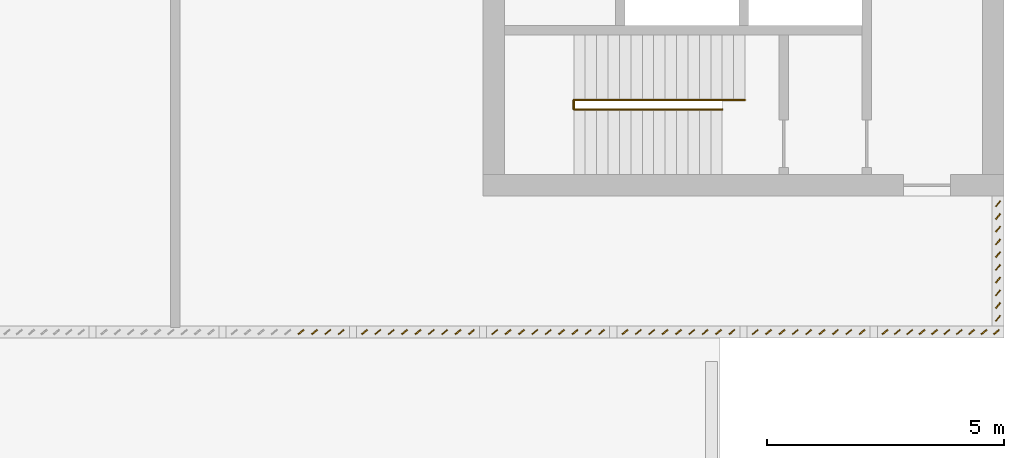
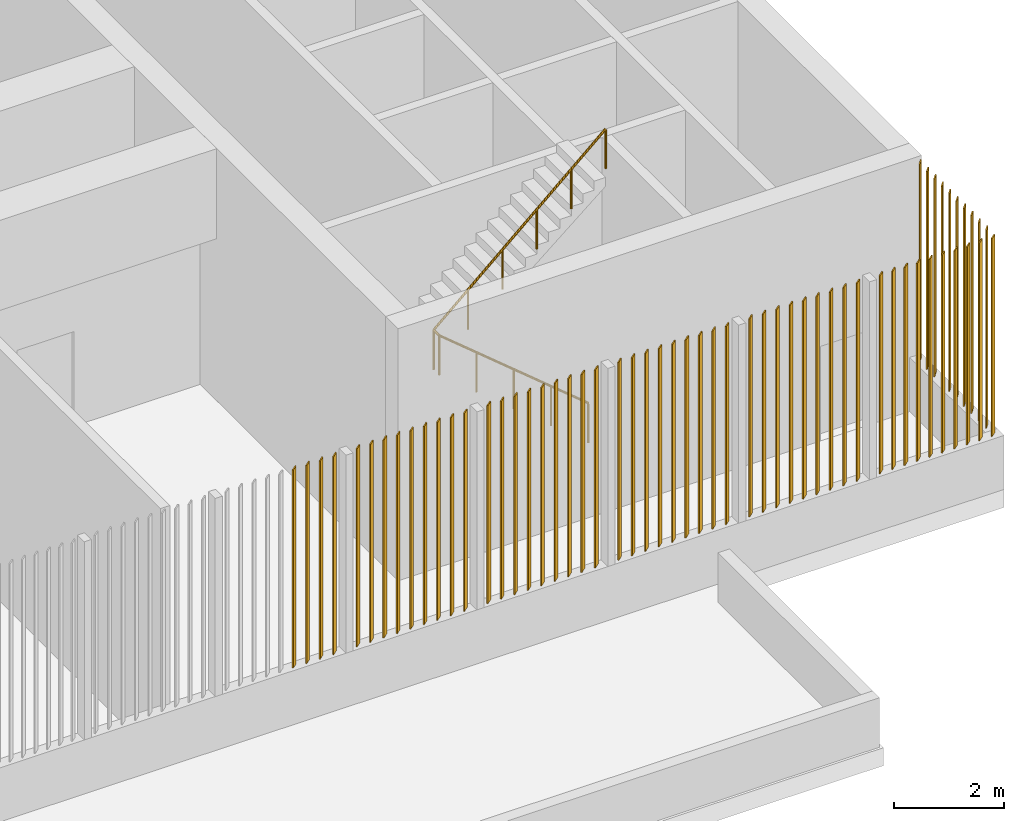
# One storey, part 8 of 9: 60 shading devices, 1 railing.
"""IFC4 building model written with IfcOpenShell, lengths in metres."""

from ifc_helpers import new_model, si_unit, direction, frame, origin, origin_2d, place, context, subcontext, project, spatial, rectangle, circle, extrude, material, material_profile, profile_set, type_object, element, save


model = new_model("IFC4")

# Units and contexts
model_context = context("Model", 3, precision=1e-05, world=origin(), true_north=direction((0.0, 1.0)))
body_context = subcontext(model_context, "Body", "Model", "MODEL_VIEW")
ifc_project = project(units=[si_unit("LENGTHUNIT", "METRE"), si_unit("AREAUNIT", "SQUARE_METRE"), si_unit("VOLUMEUNIT", "CUBIC_METRE"), si_unit("PLANEANGLEUNIT", "RADIAN"), si_unit("MASSUNIT", "GRAM", prefix="KILO")], contexts=[model_context])

# Site, building, storey
site_placement = place(None, origin())
site = spatial("IfcSite", under=ifc_project, at=site_placement, CompositionType="ELEMENT")
building_placement = place(site_placement, origin())
building = spatial("IfcBuilding", under=site, at=building_placement, Name="Kitamizu Gate Tower and Museum", CompositionType="ELEMENT")
storey_placement = place(building_placement, frame((0.0, 0.0, 283.35009765625)))
storey = spatial("IfcBuildingStorey", under=building, at=storey_placement, Name="L76", CompositionType="ELEMENT", Elevation=283.35009765625)

# Shading devices
ifc_material_1 = material(Name="Bronze anodised aluminium", Category="aluminium")
ifc_material_profile = material_profile(ifc_material_1, rectangle(XDim=0.14990234375, YDim=0.02490234375, at=origin_2d()), Name="AL 25x150")
ifc_profile_set = profile_set([ifc_material_profile], Name="Bronze anodised aluminium")
shading_device_type = type_object("IfcShadingDeviceType", Name="LOUVRE FIN LVF1 25x150", PredefinedType="JALOUSIE", material=ifc_profile_set)
for number, where, z_axis, x_axis, name in (
    (1, (44.6572265625, 18.625, 1.199951171875), (0.0, 0.0, 1.0), (0.766044443119, 0.642787609687, 0.0), "Louvre fin SB3-6"),
    (2, (44.939453125, 18.625, 1.199951171875), (0.0, 0.0, 1.0), (0.766044443119, 0.642787609687, 0.0), "Louvre fin SB3-7"),
    (3, (45.2216796875, 18.625, 1.199951171875), (0.0, 0.0, 1.0), (0.766044443119, 0.642787609687, 0.0), "Louvre fin SB3-8"),
    (4, (45.50390625, 18.625, 1.199951171875), (0.0, 0.0, 1.0), (0.766044443119, 0.642787609687, 0.0), "Louvre fin SB3-9"),
    (5, (45.99609375, 18.625, 1.199951171875), (0.0, 0.0, 1.0), (0.766044443119, 0.642787609687, 0.0), "Louvre fin SB4-1"),
    (6, (46.2783203125, 18.625, 1.199951171875), (0.0, 0.0, 1.0), (0.766044443119, 0.642787609687, 0.0), "Louvre fin SB4-2"),
    (7, (46.560546875, 18.625, 1.199951171875), (0.0, 0.0, 1.0), (0.766044443119, 0.642787609687, 0.0), "Louvre fin SB4-3"),
    (8, (46.8427734375, 18.625, 1.199951171875), (0.0, 0.0, 1.0), (0.766044443119, 0.642787609687, 0.0), "Louvre fin SB4-4"),
    (9, (47.125, 18.625, 1.199951171875), (0.0, 0.0, 1.0), (0.766044443119, 0.642787609687, 0.0), "Louvre fin SB4-5"),
    (10, (47.4072265625, 18.625, 1.199951171875), (0.0, 0.0, 1.0), (0.766044443119, 0.642787609687, 0.0), "Louvre fin SB4-6"),
    (11, (47.689453125, 18.625, 1.199951171875), (0.0, 0.0, 1.0), (0.766044443119, 0.642787609687, 0.0), "Louvre fin SB4-7"),
    (12, (47.9716796875, 18.625, 1.199951171875), (0.0, 0.0, 1.0), (0.766044443119, 0.642787609687, 0.0), "Louvre fin SB4-8"),
    (13, (48.25390625, 18.625, 1.199951171875), (0.0, 0.0, 1.0), (0.766044443119, 0.642787609687, 0.0), "Louvre fin SB4-9"),
    (14, (48.74609375, 18.625, 1.199951171875), (0.0, 0.0, 1.0), (0.766044443119, 0.642787609687, 0.0), "Louvre fin SB5-1"),
    (15, (49.0283203125, 18.625, 1.199951171875), (0.0, 0.0, 1.0), (0.766044443119, 0.642787609687, 0.0), "Louvre fin SB5-2"),
    (16, (49.310546875, 18.625, 1.199951171875), (0.0, 0.0, 1.0), (0.766044443119, 0.642787609687, 0.0), "Louvre fin SB5-3"),
    (17, (49.5927734375, 18.625, 1.199951171875), (0.0, 0.0, 1.0), (0.766044443119, 0.642787609687, 0.0), "Louvre fin SB5-4"),
    (18, (49.875, 18.625, 1.199951171875), (0.0, 0.0, 1.0), (0.766044443119, 0.642787609687, 0.0), "Louvre fin SB5-5"),
    (19, (50.1572265625, 18.625, 1.199951171875), (0.0, 0.0, 1.0), (0.766044443119, 0.642787609687, 0.0), "Louvre fin SB5-6"),
    (20, (50.439453125, 18.625, 1.199951171875), (0.0, 0.0, 1.0), (0.766044443119, 0.642787609687, 0.0), "Louvre fin SB5-7"),
    (21, (50.7216796875, 18.625, 1.199951171875), (0.0, 0.0, 1.0), (0.766044443119, 0.642787609687, 0.0), "Louvre fin SB5-8"),
    (22, (51.00390625, 18.625, 1.199951171875), (0.0, 0.0, 1.0), (0.766044443119, 0.642787609687, 0.0), "Louvre fin SB5-9"),
    (23, (51.49609375, 18.625, 1.199951171875), (0.0, 0.0, 1.0), (0.766044443119, 0.642787609687, 0.0), "Louvre fin SB6-1"),
    (24, (51.7783203125, 18.625, 1.199951171875), (0.0, 0.0, 1.0), (0.766044443119, 0.642787609687, 0.0), "Louvre fin SB6-2"),
    (25, (52.060546875, 18.625, 1.199951171875), (0.0, 0.0, 1.0), (0.766044443119, 0.642787609687, 0.0), "Louvre fin SB6-3"),
    (26, (52.3427734375, 18.625, 1.199951171875), (0.0, 0.0, 1.0), (0.766044443119, 0.642787609687, 0.0), "Louvre fin SB6-4"),
    (27, (52.625, 18.625, 1.199951171875), (0.0, 0.0, 1.0), (0.766044443119, 0.642787609687, 0.0), "Louvre fin SB6-5"),
    (28, (52.9072265625, 18.625, 1.199951171875), (0.0, 0.0, 1.0), (0.766044443119, 0.642787609687, 0.0), "Louvre fin SB6-6"),
    (29, (53.189453125, 18.625, 1.199951171875), (0.0, 0.0, 1.0), (0.766044443119, 0.642787609687, 0.0), "Louvre fin SB6-7"),
    (30, (53.4716796875, 18.625, 1.199951171875), (0.0, 0.0, 1.0), (0.766044443119, 0.642787609687, 0.0), "Louvre fin SB6-8"),
    (31, (53.75390625, 18.625, 1.199951171875), (0.0, 0.0, 1.0), (0.766044443119, 0.642787609687, 0.0), "Louvre fin SB6-9"),
    (32, (54.24609375, 18.625, 1.199951171875), (0.0, 0.0, 1.0), (0.766044443119, 0.642787609687, 0.0), "Louvre fin SB7-1"),
    (33, (54.5283203125, 18.625, 1.199951171875), (0.0, 0.0, 1.0), (0.766044443119, 0.642787609687, 0.0), "Louvre fin SB7-2"),
    (34, (54.810546875, 18.625, 1.199951171875), (0.0, 0.0, 1.0), (0.766044443119, 0.642787609687, 0.0), "Louvre fin SB7-3"),
    (35, (55.0927734375, 18.625, 1.199951171875), (0.0, 0.0, 1.0), (0.766044443119, 0.642787609687, 0.0), "Louvre fin SB7-4"),
    (36, (55.375, 18.625, 1.199951171875), (0.0, 0.0, 1.0), (0.766044443119, 0.642787609687, 0.0), "Louvre fin SB7-5"),
    (37, (55.6572265625, 18.625, 1.199951171875), (0.0, 0.0, 1.0), (0.766044443119, 0.642787609687, 0.0), "Louvre fin SB7-6"),
    (38, (55.939453125, 18.625, 1.199951171875), (0.0, 0.0, 1.0), (0.766044443119, 0.642787609687, 0.0), "Louvre fin SB7-7"),
    (39, (56.2216796875, 18.625, 1.199951171875), (0.0, 0.0, 1.0), (0.766044443119, 0.642787609687, 0.0), "Louvre fin SB7-8"),
    (40, (56.50390625, 18.625, 1.199951171875), (0.0, 0.0, 1.0), (0.766044443119, 0.642787609687, 0.0), "Louvre fin SB7-9"),
    (41, (56.98583984375, 18.625, 1.199951171875), (0.0, 0.0, 1.0), (0.766044443119, 0.642787609687, 0.0), "Louvre fin SB8-1"),
    (42, (57.247314453125, 18.625, 1.199951171875), (0.0, 0.0, 1.0), (0.766044443119, 0.642787609687, 0.0), "Louvre fin SB8-2"),
    (43, (57.5087890625, 18.625, 1.199951171875), (0.0, 0.0, 1.0), (0.766044443119, 0.642787609687, 0.0), "Louvre fin SB8-3"),
    (44, (57.770263671875, 18.625, 1.199951171875), (0.0, 0.0, 1.0), (0.766044443119, 0.642787609687, 0.0), "Louvre fin SB8-4"),
    (45, (58.03173828125, 18.625, 1.199951171875), (0.0, 0.0, 1.0), (0.766044443119, 0.642787609687, 0.0), "Louvre fin SB8-5"),
    (46, (58.293212890625, 18.625, 1.199951171875), (0.0, 0.0, 1.0), (0.766044443119, 0.642787609687, 0.0), "Louvre fin SB8-6"),
    (47, (58.5546875, 18.625, 1.199951171875), (0.0, 0.0, 1.0), (0.766044443119, 0.642787609687, 0.0), "Louvre fin SB8-7"),
    (48, (58.816162109375, 18.625, 1.199951171875), (0.0, 0.0, 1.0), (0.766044443119, 0.642787609687, 0.0), "Louvre fin SB8-8"),
    (49, (59.07763671875, 18.625, 1.199951171875), (0.0, 0.0, 1.0), (0.766044443119, 0.642787609687, 0.0), "Louvre fin SB8-9"),
    (50, (59.33935546875, 18.625, 1.199951171875), (0.0, 0.0, 1.0), (0.766044443119, 0.642787609687, 0.0), "Louvre fin SB8-10"),
    (51, (59.375, 18.91455078125, 1.199951171875), (0.0, 0.0, 1.0), (0.642787609687, 0.766044443119, 0.0), "Louvre fin ES1-1"),
    (52, (59.375, 19.18359375, 1.199951171875), (0.0, 0.0, 1.0), (0.642787609687, 0.766044443119, 0.0), "Louvre fin ES1-2"),
    (53, (59.375, 19.452392578125, 1.199951171875), (0.0, 0.0, 1.0), (0.642787609687, 0.766044443119, 0.0), "Louvre fin ES1-3"),
    (54, (59.375, 19.721435546875, 1.199951171875), (0.0, 0.0, 1.0), (0.642787609687, 0.766044443119, 0.0), "Louvre fin ES1-4"),
    (55, (59.375, 19.990478515625, 1.199951171875), (0.0, 0.0, 1.0), (0.642787609687, 0.766044443119, 0.0), "Louvre fin ES1-5"),
    (56, (59.375, 20.259521484375, 1.199951171875), (0.0, 0.0, 1.0), (0.642787609687, 0.766044443119, 0.0), "Louvre fin ES1-6"),
    (57, (59.375, 20.528564453125, 1.199951171875), (0.0, 0.0, 1.0), (0.642787609687, 0.766044443119, 0.0), "Louvre fin ES1-7"),
    (58, (59.375, 20.797607421875, 1.199951171875), (0.0, 0.0, 1.0), (0.642787609687, 0.766044443119, 0.0), "Louvre fin ES1-8"),
    (59, (59.375, 21.06640625, 1.199951171875), (0.0, 0.0, 1.0), (0.642787609687, 0.766044443119, 0.0), "Louvre fin ES1-9"),
    (60, (59.375, 21.33544921875, 1.199951171875), (0.0, 0.0, 1.0), (0.642787609687, 0.766044443119, 0.0), "Louvre fin ES1-10"),
):
    element("IfcShadingDevice", number, at=place(storey_placement, frame(where, z_axis=z_axis, x_axis=x_axis)), inside=storey, type_object=shading_device_type, Name=name, PredefinedType="JALOUSIE", context=body_context, shape_type="SweptSolid", body=[
        extrude(rectangle(XDim=0.14990234375, YDim=0.02490234375, at=origin_2d()), origin(), (0.0, 0.0, 1.0), 4.39990234375),
    ])

# Railing
ifc_material_2 = material(Name="Stainless steel SUS304", Category="steel")
railing_type = type_object("IfcRailingType", Name="Stair handrail 900", PredefinedType="HANDRAIL", material=ifc_material_2)
railing_placement = place(storey_placement, frame((53.550048828125, 23.324951171875, 0.199951171875)))
element("IfcRailing", 61, at=railing_placement, inside=storey, type_object=railing_type, Name="Stair handrail ST3", PredefinedType="HANDRAIL", context=body_context, shape_type="SweptSolid", body=[
    extrude(circle(Radius=0.02392578125, at=origin_2d()), frame((0.0, 0.0, 0.8759765625), z_axis=(-0.769551662085, 0.0, 0.638584559304), x_axis=(0.0, -1.0, 0.0)), (0.0, 0.0, 1.0), 4.0712890625),
    extrude(circle(Radius=0.02392578125, at=origin_2d()), frame((-3.133056640625, 0.0, 3.4755859375), z_axis=(0.0, 1.0, 0.0), x_axis=(-1.0, 0.0, 0.0)), (0.0, 0.0, 1.0), 0.199951171875),
    extrude(circle(Radius=0.02392578125, at=origin_2d()), frame((-3.133056640625, 0.199951171875, 3.4755859375), z_axis=(0.748758110737, 0.0, 0.66284333866), x_axis=(0.0, 1.0, 0.0)), (0.0, 0.0, 1.0), 4.827880859375),
    extrude(circle(Radius=0.02099609375, at=origin_2d()), origin(), (0.0, 0.0, 1.0), 0.851806640625),
    extrude(circle(Radius=0.02099609375, at=origin_2d()), frame((-0.783203125, 0.0, 0.64990234375)), (0.0, 0.0, 1.0), 0.851806640625),
    extrude(circle(Radius=0.02099609375, at=origin_2d()), frame((-1.56640625, 0.0, 1.2998046875)), (0.0, 0.0, 1.0), 0.851806640625),
    extrude(circle(Radius=0.02099609375, at=origin_2d()), frame((-2.349853515625, 0.0, 1.949951171875)), (0.0, 0.0, 1.0), 0.851806640625),
    extrude(circle(Radius=0.02099609375, at=origin_2d()), frame((-3.133056640625, 0.0, 2.599853515625)), (0.0, 0.0, 1.0), 0.851806640625),
    extrude(circle(Radius=0.02099609375, at=origin_2d()), frame((-3.133056640625, 0.199951171875, 2.599853515625)), (0.0, 0.0, 1.0), 0.851806640625),
    extrude(circle(Radius=0.02099609375, at=origin_2d()), frame((-2.41015625, 0.199951171875, 3.239990234375)), (0.0, 0.0, 1.0), 0.851806640625),
    extrude(circle(Radius=0.02099609375, at=origin_2d()), frame((-1.68701171875, 0.199951171875, 3.8798828125)), (0.0, 0.0, 1.0), 0.851806640625),
    extrude(circle(Radius=0.02099609375, at=origin_2d()), frame((-0.964111328125, 0.199951171875, 4.52001953125)), (0.0, 0.0, 1.0), 0.851806640625),
    extrude(circle(Radius=0.02099609375, at=origin_2d()), frame((-0.240966796875, 0.199951171875, 5.159912109375)), (0.0, 0.0, 1.0), 0.851806640625),
    extrude(circle(Radius=0.02099609375, at=origin_2d()), frame((0.48193359375, 0.199951171875, 5.800048828125)), (0.0, 0.0, 1.0), 0.851806640625),
])

save(model, "model.ifc")
